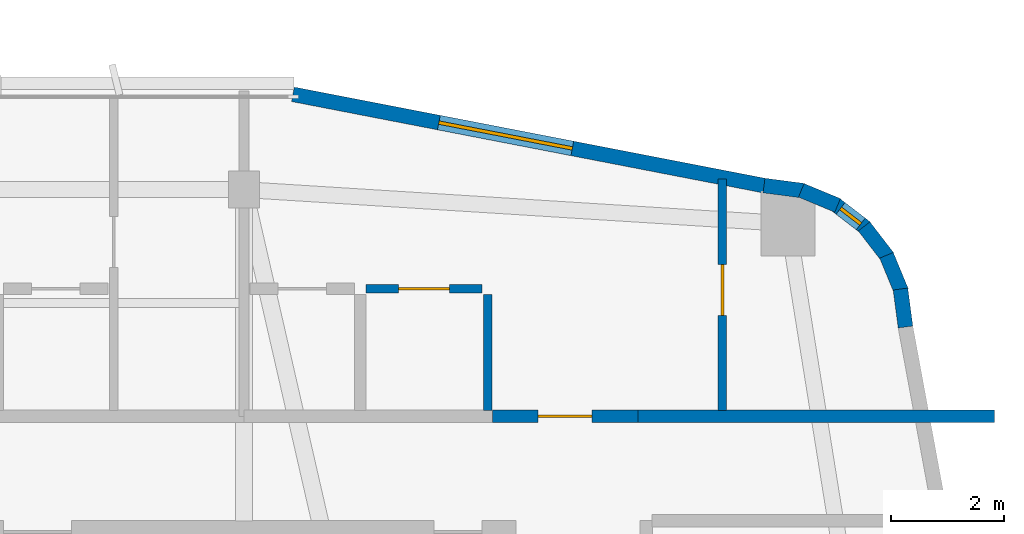
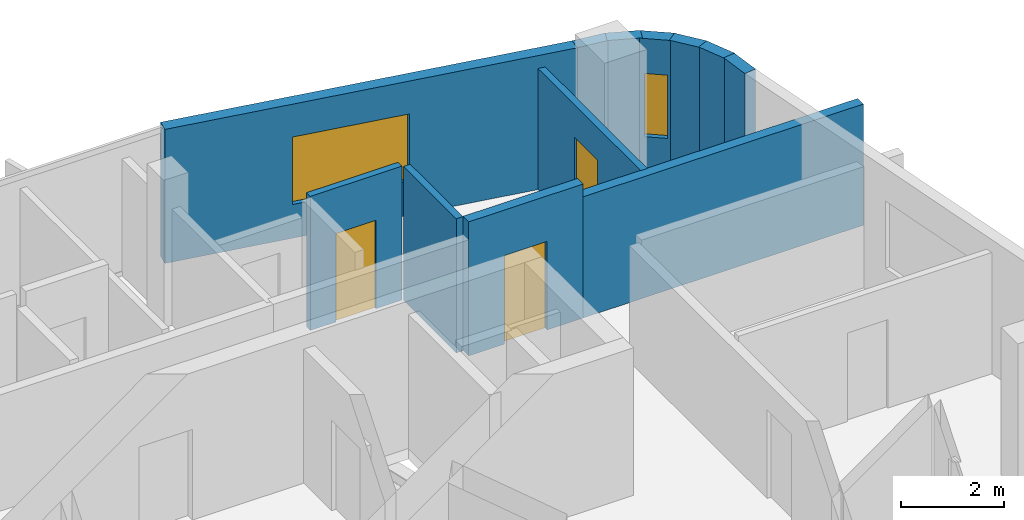
# One storey, part 20 of 26: 12 walls, 3 doors, 2 windows, 5 openings.
"""IFC4 building model written with IfcOpenShell, lengths in metres."""

from ifc_helpers import new_model, si_unit, derived_unit, direction, frame, frame_2d, origin, place, context, subcontext, project, spatial, rectangle, extrude, material, layer, layer_set, type_object, element, fill, save


model = new_model("IFC4")

# Units and contexts
model_context = context("Model", 3, precision=1e-05, world=origin(), true_north=direction((0.0, 1.0)))
body_context = subcontext(model_context, "Body", "Model", "MODEL_VIEW")
ifc_project = project(units=[si_unit("LENGTHUNIT", "METRE"), si_unit("AREAUNIT", "SQUARE_METRE"), si_unit("VOLUMEUNIT", "CUBIC_METRE"), si_unit("PLANEANGLEUNIT", "RADIAN"), si_unit("MASSUNIT", "GRAM", prefix="KILO"), derived_unit("THERMALTRANSMITTANCEUNIT", [(si_unit("POWERUNIT", "WATT"), 1), (si_unit("LENGTHUNIT", "METRE"), -2), (si_unit("THERMODYNAMICTEMPERATUREUNIT", "KELVIN"), -1)])], contexts=[model_context])

# Site, building, storey
site_placement = place(None, origin())
site = spatial("IfcSite", under=ifc_project, at=site_placement, CompositionType="ELEMENT")
building_placement = place(site_placement, origin())
building = spatial("IfcBuilding", under=site, at=building_placement, Name="Kivonza Crest Hotel", CompositionType="ELEMENT")
storey_placement = place(building_placement, frame((0.0, 0.0, 116.0)))
storey = spatial("IfcBuildingStorey", under=building, at=storey_placement, Name="L31", CompositionType="ELEMENT", Elevation=116.0)

# Wall
ifc_material_1 = material(Name="Autoclaved aerated concrete blockwork", Category="masonry")
ifc_layer_1 = layer(ifc_material_1, 0.219970703125)
ifc_layer_set_1 = layer_set([ifc_layer_1], Name="Autoclaved aerated concrete blockwork")
wall_type_1 = type_object("IfcWallType", Name="WL-ACOU-220", PredefinedType="SOLIDWALL", material=ifc_layer_set_1)
wall_1_placement = place(storey_placement, frame((88.35009765625, 37.60009765625, 0.0), z_axis=(0.0, 0.0, 1.0), x_axis=(1.0, 0.0, 0.0)))
element("IfcWall", 1, at=wall_1_placement, inside=storey, type_object=wall_type_1, Name="L31 interior partition WA-L31-A02-RCORR", PredefinedType="SOLIDWALL", context=body_context, shape_type="SweptSolid", body=[
    extrude(rectangle(XDim=6.289794921875, YDim=0.219970703125, at=frame_2d((3.14501953125, 0.0))), origin(), (0.0, 0.0, 1.0), 2.875),
])

# Wall, opening, door
wall_2_placement = place(storey_placement, frame((85.780029296875, 37.60009765625, 0.0), z_axis=(0.0, 0.0, 1.0), x_axis=(1.0, 0.0, 0.0)))
wall_2 = element("IfcWall", 2, at=wall_2_placement, inside=storey, type_object=wall_type_1, Name="L31 interior partition WA-L31-A02-MCORR", PredefinedType="SOLIDWALL", context=body_context, shape_type="SweptSolid", body=[
    extrude(rectangle(XDim=2.570068359375, YDim=0.219970703125, at=frame_2d((1.28515625, 0.0))), origin(), (0.0, 0.0, 1.0), 3.179931640625),
])
opening_1_placement = place(wall_2_placement, frame((0.81005859375, 0.0, 0.0)))
opening_1 = element("IfcOpeningElement", 3, at=opening_1_placement, cuts=wall_2, Name="Opening DU-60", PredefinedType="OPENING", context=body_context, shape_type="SweptSolid", body=[
    extrude(rectangle(XDim=0.949951171875, YDim=2.10009765625, at=frame_2d((0.47509765625, 1.050048828125))), frame((0.0, 0.1201171875, 0.0), z_axis=(0.0, -1.0, 0.0), x_axis=(1.0, 0.0, 0.0)), (0.0, 0.0, 1.0), 0.239990234375),
])
ifc_material_2 = material(Name="Hardwood timber oak", Category="wood")
door_type_1 = type_object("IfcDoorType", Name="DR-UNIT-950", OperationType="NOTDEFINED", PredefinedType="DOOR", material=ifc_material_2)
door_1_placement = place(opening_1_placement, origin())
door_1 = element("IfcDoor", 4, at=door_1_placement, inside=storey, type_object=door_type_1, Name="L31 A02 apartment entrance fire door", OperationType="SINGLE_SWING_RIGHT", OverallHeight=2.10009765625, OverallWidth=0.949951171875, PredefinedType="DOOR", context=body_context, shape_type="SweptSolid", body=[
    extrude(rectangle(XDim=0.949951171875, YDim=2.10009765625, at=frame_2d((0.47509765625, 1.050048828125))), frame((0.0, 0.02490234375, 0.0), z_axis=(0.0, -1.0, 0.0), x_axis=(1.0, 0.0, 0.0)), (0.0, 0.0, 1.0), 0.050048828125),
])
fill(opening_1, door_1)

# Walls
ifc_material_3 = material(Name="Precast concrete C40/50", Category="concrete")
ifc_layer_2 = layer(ifc_material_3, 0.260009765625)
ifc_layer_set_2 = layer_set([ifc_layer_2], Name="Precast concrete C40/50")
wall_type_2 = type_object("IfcWallType", Name="WL-EXT-260", PredefinedType="STANDARD", material=ifc_layer_set_2)
wall_3_placement = place(storey_placement, frame((93.072021484375, 39.175048828125, 0.0), z_axis=(0.0, 0.0, 1.0), x_axis=(-0.131667498923, 0.991293937098, 0.0)))
element("IfcWall", 5, at=wall_3_placement, inside=storey, type_object=wall_type_2, Name="L31 T2 exterior insulated wall 19", PredefinedType="STANDARD", context=body_context, shape_type="SweptSolid", body=[
    extrude(rectangle(XDim=0.6767578125, YDim=0.260009765625, at=frame_2d((0.33837890625, 0.0))), origin(), (0.0, 0.0, 1.0), 3.179931640625),
])
wall_4_placement = place(storey_placement, frame((93.0009765625, 39.800048828125, 0.0), z_axis=(0.0, 0.0, 1.0), x_axis=(-0.381988976935, 0.924166879681, 0.0)))
element("IfcWall", 6, at=wall_4_placement, inside=storey, type_object=wall_type_2, Name="L31 T2 exterior insulated wall 20", PredefinedType="STANDARD", context=body_context, shape_type="SweptSolid", body=[
    extrude(rectangle(XDim=0.693359375, YDim=0.260009765625, at=frame_2d((0.3466796875, 0.0))), origin(), (0.0, 0.0, 1.0), 3.179931640625),
])
wall_5_placement = place(storey_placement, frame((92.763916015625, 40.40087890625, 0.0), z_axis=(0.0, 0.0, 1.0), x_axis=(-0.609472651958, 0.792807092876, 0.0)))
element("IfcWall", 7, at=wall_5_placement, inside=storey, type_object=wall_type_2, Name="L31 T2 exterior insulated wall 21", PredefinedType="STANDARD", context=body_context, shape_type="SweptSolid", body=[
    extrude(rectangle(XDim=0.69384765625, YDim=0.260009765625, at=frame_2d((0.346923828125, 0.0))), origin(), (0.0, 0.0, 1.0), 3.179931640625),
])

# Wall, opening, window
wall_6_placement = place(storey_placement, frame((92.37890625, 40.919921875, 0.0), z_axis=(0.0, 0.0, 1.0), x_axis=(-0.792506234191, 0.609863811657, 0.0)))
wall_6 = element("IfcWall", 8, at=wall_6_placement, inside=storey, type_object=wall_type_2, Name="L31 T2 exterior insulated wall 22", PredefinedType="STANDARD", context=body_context, shape_type="SweptSolid", body=[
    extrude(rectangle(XDim=0.69384765625, YDim=0.260009765625, at=frame_2d((0.346923828125, 0.0))), origin(), (0.0, 0.0, 1.0), 3.179931640625),
])
opening_2_placement = place(wall_6_placement, frame((0.1220703125, 0.0, 0.85009765625)))
opening_2 = element("IfcOpeningElement", 9, at=opening_2_placement, cuts=wall_6, Name="Opening WN-11", PredefinedType="OPENING", context=body_context, shape_type="SweptSolid", body=[
    extrude(rectangle(XDim=0.449951171875, YDim=1.5, at=frame_2d((0.22509765625, 0.75))), frame((0.0, 0.14013671875, 0.0), z_axis=(0.0, -1.0, 0.0), x_axis=(1.0, 0.0, 0.0)), (0.0, 0.0, 1.0), 0.280029296875),
])
ifc_material_4 = material(Name="Thermally broken bronze aluminium and low-E double glazing", Category="aluminium")
window_type_1 = type_object("IfcWindowType", Name="WN-045x150", PartitioningType="SINGLE_PANEL", PredefinedType="WINDOW", material=ifc_material_4)
window_1_placement = place(opening_2_placement, origin())
window_1 = element("IfcWindow", 10, at=window_1_placement, inside=storey, type_object=window_type_1, Name="L31 corner vision window 3", OverallHeight=1.5, OverallWidth=0.449951171875, PartitioningType="SINGLE_PANEL", PredefinedType="WINDOW", context=body_context, shape_type="SweptSolid", body=[
    extrude(rectangle(XDim=0.449951171875, YDim=1.5, at=frame_2d((0.22509765625, 0.75))), frame((0.0, 0.030029296875, 0.0), z_axis=(0.0, -1.0, 0.0), x_axis=(1.0, 0.0, 0.0)), (0.0, 0.0, 1.0), 0.06005859375),
])
fill(opening_2, window_1)

# Walls
wall_7_placement = place(storey_placement, frame((91.873046875, 41.322021484375, 0.0), z_axis=(0.0, 0.0, 1.0), x_axis=(-0.92421822618, 0.381864727877, 0.0)))
element("IfcWall", 11, at=wall_7_placement, inside=storey, type_object=wall_type_2, Name="L31 T2 exterior insulated wall 23", PredefinedType="STANDARD", context=body_context, shape_type="SweptSolid", body=[
    extrude(rectangle(XDim=0.693603515625, YDim=0.260009765625, at=frame_2d((0.3466796875, 0.0))), origin(), (0.0, 0.0, 1.0), 3.179931640625),
])
wall_8_placement = place(storey_placement, frame((91.281005859375, 41.5791015625, 0.0), z_axis=(0.0, 0.0, 1.0), x_axis=(-0.991433279471, 0.130614135366, 0.0)))
element("IfcWall", 12, at=wall_8_placement, inside=storey, type_object=wall_type_2, Name="L31 T2 exterior insulated wall 24", PredefinedType="STANDARD", context=body_context, shape_type="SweptSolid", body=[
    extrude(rectangle(XDim=0.712158203125, YDim=0.260009765625, at=frame_2d((0.35595703125, 0.0))), origin(), (0.0, 0.0, 1.0), 3.179931640625),
])

# Wall, opening, window
wall_9_placement = place(storey_placement, frame((90.5830078125, 41.669921875, 0.0), z_axis=(0.0, 0.0, 1.0), x_axis=(-0.981750199588, 0.190175039396, 0.0)))
wall_9 = element("IfcWall", 13, at=wall_9_placement, inside=storey, type_object=wall_type_2, Name="L31 T2 exterior insulated wall 25", PredefinedType="STANDARD", context=body_context, shape_type="SweptSolid", body=[
    extrude(rectangle(XDim=8.476806640625, YDim=0.260009765625, at=frame_2d((4.23828125, 0.0))), origin(), (0.0, 0.0, 1.0), 3.179931640625),
])
opening_3_placement = place(wall_9_placement, frame((3.4541015625, 0.0, 0.800048828125)))
opening_3 = element("IfcOpeningElement", 14, at=opening_3_placement, cuts=wall_9, Name="Opening WN-05", PredefinedType="OPENING", context=body_context, shape_type="SweptSolid", body=[
    extrude(rectangle(XDim=2.39990234375, YDim=1.60009765625, at=frame_2d((1.199951171875, 0.800048828125))), frame((0.0, 0.14013671875, 0.0), z_axis=(0.0, -1.0, 0.0), x_axis=(1.0, 0.0, 0.0)), (0.0, 0.0, 1.0), 0.280029296875),
])
window_type_2 = type_object("IfcWindowType", Name="WN-240x160", PartitioningType="TRIPLE_PANEL_VERTICAL", PredefinedType="WINDOW", material=ifc_material_4)
window_2_placement = place(opening_3_placement, origin())
window_2 = element("IfcWindow", 15, at=window_2_placement, inside=storey, type_object=window_type_2, Name="L31 T2 facade window 25", OverallHeight=1.60009765625, OverallWidth=2.39990234375, PartitioningType="SINGLE_PANEL", PredefinedType="WINDOW", context=body_context, shape_type="SweptSolid", body=[
    extrude(rectangle(XDim=2.39990234375, YDim=1.60009765625, at=frame_2d((1.199951171875, 0.800048828125))), frame((0.0, 0.030029296875, 0.0), z_axis=(0.0, -1.0, 0.0), x_axis=(1.0, 0.0, 0.0)), (0.0, 0.0, 1.0), 0.06005859375),
])
fill(opening_3, window_2)

# Wall, opening, door
ifc_material_5 = material(Name="Twin-stud acoustic gypsum board partition", Category="gypsum")
ifc_layer_3 = layer(ifc_material_5, 0.14990234375)
ifc_layer_set_3 = layer_set([ifc_layer_3], Name="Twin-stud acoustic gypsum board partition")
wall_type_3 = type_object("IfcWallType", Name="WL-PART-150", PredefinedType="PARTITIONING", material=ifc_layer_set_3)
wall_10_placement = place(storey_placement, frame((89.840087890625, 37.699951171875, 0.0), z_axis=(0.0, 0.0, 1.0), x_axis=(0.0, 1.0, 0.0)))
wall_10 = element("IfcWall", 16, at=wall_10_placement, inside=storey, type_object=wall_type_3, Name="L31 interior partition WP-L31-A02-BDW1", PredefinedType="PARTITIONING", context=body_context, shape_type="SweptSolid", body=[
    extrude(rectangle(XDim=4.0859375, YDim=0.14990234375, at=frame_2d((2.04296875, 0.0))), origin(), (0.0, 0.0, 1.0), 2.875),
])
opening_4_placement = place(wall_10_placement, frame((1.679931640625, 0.0, 0.0)))
opening_4 = element("IfcOpeningElement", 17, at=opening_4_placement, cuts=wall_10, Name="Opening DI-90", PredefinedType="OPENING", context=body_context, shape_type="SweptSolid", body=[
    extrude(rectangle(XDim=0.89990234375, YDim=2.10009765625, at=frame_2d((0.449951171875, 1.050048828125))), frame((0.0, 0.0849609375, 0.0), z_axis=(0.0, -1.0, 0.0), x_axis=(1.0, 0.0, 0.0)), (0.0, 0.0, 1.0), 0.169921875),
])
door_type_2 = type_object("IfcDoorType", Name="DR-INT-900", OperationType="NOTDEFINED", PredefinedType="DOOR", material=ifc_material_2)
door_2_placement = place(opening_4_placement, origin())
door_2 = element("IfcDoor", 18, at=door_2_placement, inside=storey, type_object=door_type_2, Name="L31 A02 bedroom 1 door", OperationType="SINGLE_SWING_LEFT", OverallHeight=2.10009765625, OverallWidth=0.89990234375, PredefinedType="DOOR", context=body_context, shape_type="SweptSolid", body=[
    extrude(rectangle(XDim=0.89990234375, YDim=2.10009765625, at=frame_2d((0.449951171875, 1.050048828125))), frame((0.0, 0.02490234375, 0.0), z_axis=(0.0, -1.0, 0.0), x_axis=(1.0, 0.0, 0.0)), (0.0, 0.0, 1.0), 0.050048828125),
])
fill(opening_4, door_2)

# Wall
wall_11_placement = place(storey_placement, frame((85.699951171875, 37.699951171875, 0.0), z_axis=(0.0, 0.0, 1.0), x_axis=(0.0, 1.0, 0.0)))
element("IfcWall", 19, at=wall_11_placement, inside=storey, type_object=wall_type_3, Name="L31 interior partition WP-L31-A02-KF", PredefinedType="PARTITIONING", context=body_context, shape_type="SweptSolid", body=[
    extrude(rectangle(XDim=2.050048828125, YDim=0.14990234375, at=frame_2d((1.02490234375, 0.0))), origin(), (0.0, 0.0, 1.0), 3.179931640625),
])

# Wall, opening, door
wall_12_placement = place(storey_placement, frame((83.550048828125, 39.85009765625, 0.0), z_axis=(0.0, 0.0, 1.0), x_axis=(1.0, 0.0, 0.0)))
wall_12 = element("IfcWall", 20, at=wall_12_placement, inside=storey, type_object=wall_type_3, Name="L31 interior partition WP-L31-A02-KSVC", PredefinedType="PARTITIONING", context=body_context, shape_type="SweptSolid", body=[
    extrude(rectangle(XDim=2.050048828125, YDim=0.14990234375, at=frame_2d((1.02490234375, 0.0))), origin(), (0.0, 0.0, 1.0), 3.179931640625),
])
opening_5_placement = place(wall_12_placement, frame((0.574951171875, 0.0, 0.0)))
opening_5 = element("IfcOpeningElement", 21, at=opening_5_placement, cuts=wall_12, Name="Opening DI-90", PredefinedType="OPENING", context=body_context, shape_type="SweptSolid", body=[
    extrude(rectangle(XDim=0.89990234375, YDim=2.10009765625, at=frame_2d((0.449951171875, 1.050048828125))), frame((0.0, 0.0849609375, 0.0), z_axis=(0.0, -1.0, 0.0), x_axis=(1.0, 0.0, 0.0)), (0.0, 0.0, 1.0), 0.169921875),
])
door_3_placement = place(opening_5_placement, origin())
door_3 = element("IfcDoor", 22, at=door_3_placement, inside=storey, type_object=door_type_2, Name="L31 A02 apartment kitchen door", OperationType="SINGLE_SWING_RIGHT", OverallHeight=2.10009765625, OverallWidth=0.89990234375, PredefinedType="DOOR", context=body_context, shape_type="SweptSolid", body=[
    extrude(rectangle(XDim=0.89990234375, YDim=2.10009765625, at=frame_2d((0.449951171875, 1.050048828125))), frame((0.0, 0.02490234375, 0.0), z_axis=(0.0, -1.0, 0.0), x_axis=(1.0, 0.0, 0.0)), (0.0, 0.0, 1.0), 0.050048828125),
])
fill(opening_5, door_3)

save(model, "model.ifc")
